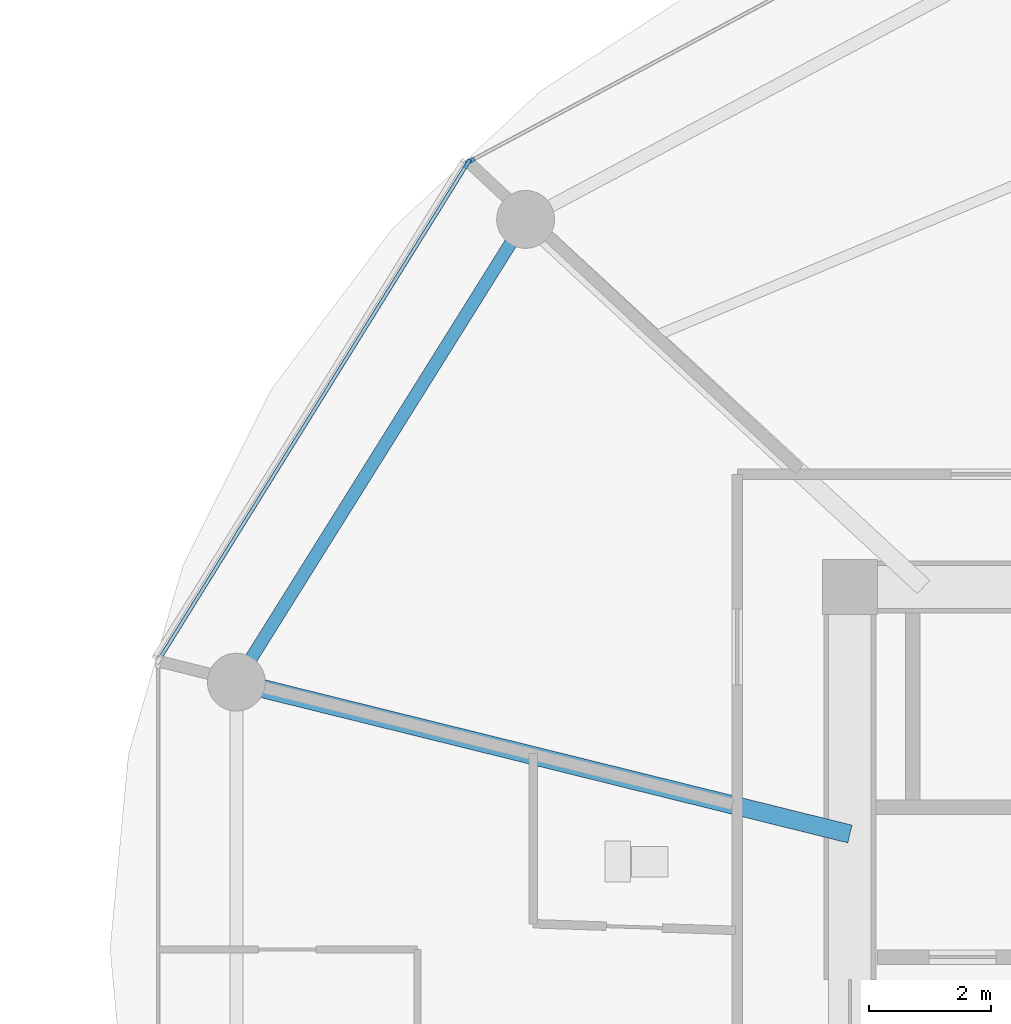
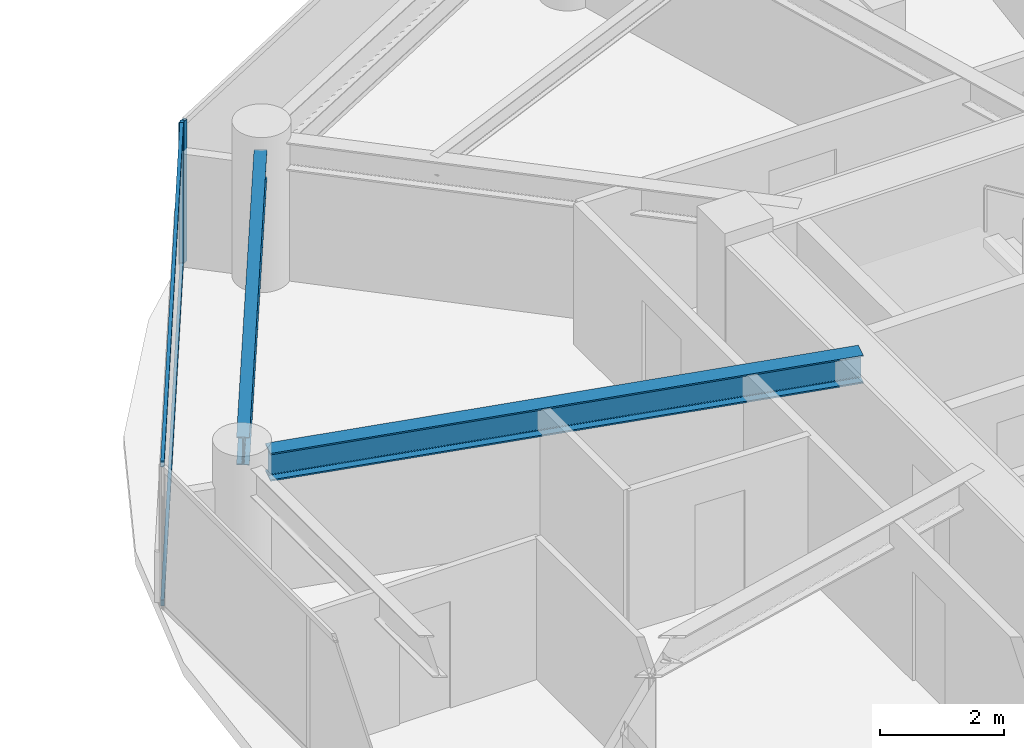
# One storey, part 8 of 27: 4 members, 2 beams, 2 elements without a shape of their own.
"""IFC4 building model written with IfcOpenShell, lengths in metres."""

from ifc_helpers import new_model, si_unit, direction, frame, origin, origin_2d, place, context, subcontext, project, spatial, rectangle, i_section, extrude, source, transform, mapped, material, layer, layer_set, material_profile, profile_set, type_object, type_shapes, element, aggregate, save


model = new_model("IFC4")

# Units and contexts
model_context = context("Model", 3, precision=1e-05, world=origin(), true_north=direction((0.0, 1.0)))
body_context = subcontext(model_context, "Body", "Model", "MODEL_VIEW")
ifc_project = project(units=[si_unit("LENGTHUNIT", "METRE"), si_unit("AREAUNIT", "SQUARE_METRE"), si_unit("VOLUMEUNIT", "CUBIC_METRE"), si_unit("PLANEANGLEUNIT", "RADIAN"), si_unit("MASSUNIT", "GRAM", prefix="KILO")], contexts=[model_context])

# Site, building, storey
site_placement = place(None, origin())
site = spatial("IfcSite", under=ifc_project, at=site_placement, CompositionType="ELEMENT")
building_placement = place(site_placement, origin())
building = spatial("IfcBuilding", under=site, at=building_placement, Name="Norrkilde Senior Care Towers", CompositionType="ELEMENT")
storey_placement = place(building_placement, frame((0.0, 0.0, 36.85009765625)))
storey = spatial("IfcBuildingStorey", under=building, at=storey_placement, Name="L10", CompositionType="ELEMENT", Elevation=36.85009765625)

# Beams
ifc_material_1 = material(Name="Steel S355", Category="steel")
ifc_material_profile_1 = material_profile(ifc_material_1, i_section(OverallWidth=0.2099609375, OverallDepth=0.550048828125, WebThickness=0.010986328125, FlangeThickness=0.01708984375, FilletRadius=0.02392578125, at=origin_2d()), Name="IPE 550")
ifc_profile_set_1 = profile_set([ifc_material_profile_1], Name="Steel S355")
beam_type_1 = type_object("IfcBeamType", Name="Perimeter Ring Spandrel Z1 IPE550", PredefinedType="SPANDREL", material=ifc_profile_set_1)
shared_shape_1 = source(origin(), body_context, "Body", "SweptSolid", [
    extrude(i_section(OverallWidth=0.2099609375, OverallDepth=0.550048828125, WebThickness=0.010986328125, FlangeThickness=0.01708984375, FilletRadius=0.02392578125, at=origin_2d()), origin(), (0.0, 0.0, 1.0), 8.090576171875),
])
type_shapes(beam_type_1, [shared_shape_1])
beam_1_placement = place(storey_placement, frame((14.7939453125, 11.61669921875, 2.514892578125), z_axis=(-0.530004364821, -0.84799491347, 0.0), x_axis=(0.84799491347, -0.530004364821, 0.0)))
element("IfcBeam", 1, at=beam_1_placement, inside=storey, type_object=beam_type_1, Name="L10 Drum E Perimeter Spandrel 05", PredefinedType="SPANDREL", context=body_context, shape_type="MappedRepresentation", body=[
    mapped(shared_shape_1, transform((0.0, 0.0, 0.0), x_axis=(1.0, 0.0, 0.0), y_axis=(0.0, 1.0, 0.0), z_axis=(0.0, 0.0, 1.0), scale=1.0)),
])
ifc_material_profile_2 = material_profile(ifc_material_1, i_section(OverallWidth=0.300048828125, OverallDepth=0.550048828125, WebThickness=0.014892578125, FlangeThickness=0.029052734375, FilletRadius=0.027099609375, at=origin_2d()), Name="HEB 550")
ifc_profile_set_2 = profile_set([ifc_material_profile_2], Name="Steel S355")
beam_type_2 = type_object("IfcBeamType", Name="Radial Floor Beam Z1 HEB550", PredefinedType="BEAM", material=ifc_profile_set_2)
shared_shape_2 = source(origin(), body_context, "Body", "SweptSolid", [
    extrude(i_section(OverallWidth=0.300048828125, OverallDepth=0.550048828125, WebThickness=0.014892578125, FlangeThickness=0.029052734375, FilletRadius=0.027099609375, at=origin_2d()), origin(), (0.0, 0.0, 1.0), 9.94384765625),
])
type_shapes(beam_type_2, [shared_shape_2])
beam_2_placement = place(storey_placement, frame((20.35009765625, 1.893310546875, 2.514892578125), z_axis=(-0.970707425182, 0.240264634718, 0.0), x_axis=(-0.240264634718, -0.970707425182, 0.0)))
element("IfcBeam", 2, at=beam_2_placement, inside=storey, type_object=beam_type_2, Name="L10 Drum E Radial Floor Beam 06", PredefinedType="BEAM", context=body_context, shape_type="MappedRepresentation", body=[
    mapped(shared_shape_2, transform((0.0, 0.0, 0.0), x_axis=(1.0, 0.0, 0.0), y_axis=(0.0, 1.0, 0.0), z_axis=(0.0, 0.0, 1.0), scale=1.0)),
])

# Curtain wall, member
ifc_material_2 = material(Name="Triple Low-E Insulated Glazing", Category="glass")
ifc_layer = layer(ifc_material_2, 0.199951171875)
ifc_layer_set = layer_set([ifc_layer], Name="Triple Low-E Insulated Glazing")
curtain_wall_type = type_object("IfcCurtainWallType", Name="CW2 Zone 1 Memory Care Curtain Wall", PredefinedType="NOTDEFINED", material=ifc_layer_set)
curtain_wall_1_placement = place(storey_placement, origin())
curtain_wall_1 = element("IfcCurtainWall", 3, at=curtain_wall_1_placement, inside=storey, type_object=curtain_wall_type, Name="L10 Drum E Curtain Wall 03", PredefinedType="NOTDEFINED")
ifc_material_3 = material(Name="Anodised Aluminium", Category="aluminium")
ifc_material_profile_3 = material_profile(ifc_material_3, rectangle(XDim=0.06494140625, YDim=0.159912109375, at=origin_2d()), Name="ALU MULL 65x160")
ifc_profile_set_3 = profile_set([ifc_material_profile_3], Name="Anodised Aluminium")
member_type_1 = type_object("IfcMemberType", Name="Curtain Wall Mullion Z1-Z2 65x160", PredefinedType="MULLION", material=ifc_profile_set_3)
shared_shape_3 = source(origin(), body_context, "Body", "SweptSolid", [
    extrude(rectangle(XDim=0.06494140625, YDim=0.159912109375, at=origin_2d()), origin(), (0.0, 0.0, 1.0), 2.789794921875),
])
type_shapes(member_type_1, [shared_shape_3])
member_1_placement = place(storey_placement, frame((14.11279296875, 12.941162109375, 0.0), z_axis=(0.0, 0.0, 1.0), x_axis=(-0.472607802456, 0.881272866403, 0.0)))
member_1 = element("IfcMember", 4, at=member_1_placement, type_object=member_type_1, Name="CW-2 mullion 1", PredefinedType="MULLION", context=body_context, shape_type="MappedRepresentation", body=[
    mapped(shared_shape_3, transform((0.0, 0.0, 0.0), x_axis=(1.0, 0.0, 0.0), y_axis=(0.0, 1.0, 0.0), z_axis=(0.0, 0.0, 1.0), scale=1.0)),
])
aggregate(curtain_wall_1, [member_1])

# Curtain wall, members
curtain_wall_2_placement = place(storey_placement, origin())
curtain_wall_2 = element("IfcCurtainWall", 5, at=curtain_wall_2_placement, inside=storey, type_object=curtain_wall_type, Name="L10 Drum E Curtain Wall 04", PredefinedType="NOTDEFINED")
member_2_placement = place(storey_placement, frame((14.06689453125, 12.898193359375, 0.0), z_axis=(0.0, 0.0, 1.0), x_axis=(-0.849305943117, 0.527900951871, 0.0)))
member_2 = element("IfcMember", 6, at=member_2_placement, type_object=member_type_1, Name="CW-2 mullion 2", PredefinedType="MULLION", context=body_context, shape_type="MappedRepresentation", body=[
    mapped(shared_shape_3, transform((0.0, 0.0, 0.0), x_axis=(1.0, 0.0, 0.0), y_axis=(0.0, 1.0, 0.0), z_axis=(0.0, 0.0, 1.0), scale=1.0)),
])
ifc_material_profile_4 = material_profile(ifc_material_3, rectangle(XDim=0.06005859375, YDim=0.1201171875, at=origin_2d()), Name="ALU TRAN 60x120")
ifc_profile_set_4 = profile_set([ifc_material_profile_4], Name="Anodised Aluminium")
member_type_2 = type_object("IfcMemberType", Name="Curtain Wall Transom Typical 60x120", PredefinedType="USERDEFINED", material=ifc_profile_set_4)
shared_shape_4 = source(origin(), body_context, "Body", "SweptSolid", [
    extrude(rectangle(XDim=0.06005859375, YDim=0.1201171875, at=origin_2d()), origin(), (0.0, 0.0, 1.0), 9.5185546875),
])
type_shapes(member_type_2, [shared_shape_4])
member_3_placement = place(storey_placement, frame((9.02490234375, 4.786376953125, 0.02978515625), z_axis=(0.527901620669, 0.849305527413, 0.0), x_axis=(-0.849305527413, 0.527901620669, 0.0)))
member_3 = element("IfcMember", 7, at=member_3_placement, type_object=member_type_2, Name="CW-2 transom 1.1", ObjectType="TRANSOM", PredefinedType="USERDEFINED", context=body_context, shape_type="MappedRepresentation", body=[
    mapped(shared_shape_4, transform((0.0, 0.0, 0.0), x_axis=(1.0, 0.0, 0.0), y_axis=(0.0, 1.0, 0.0), z_axis=(0.0, 0.0, 1.0), scale=1.0)),
])
member_4_placement = place(storey_placement, frame((9.02490234375, 4.786376953125, 2.760009765625), z_axis=(0.527901620669, 0.849305527413, 0.0), x_axis=(-0.849305527413, 0.527901620669, 0.0)))
member_4 = element("IfcMember", 8, at=member_4_placement, type_object=member_type_2, Name="CW-2 transom 1.2", ObjectType="TRANSOM", PredefinedType="USERDEFINED", context=body_context, shape_type="MappedRepresentation", body=[
    mapped(shared_shape_4, transform((0.0, 0.0, 0.0), x_axis=(1.0, 0.0, 0.0), y_axis=(0.0, 1.0, 0.0), z_axis=(0.0, 0.0, 1.0), scale=1.0)),
])
aggregate(curtain_wall_2, [member_2, member_3, member_4])

save(model, "model.ifc")
